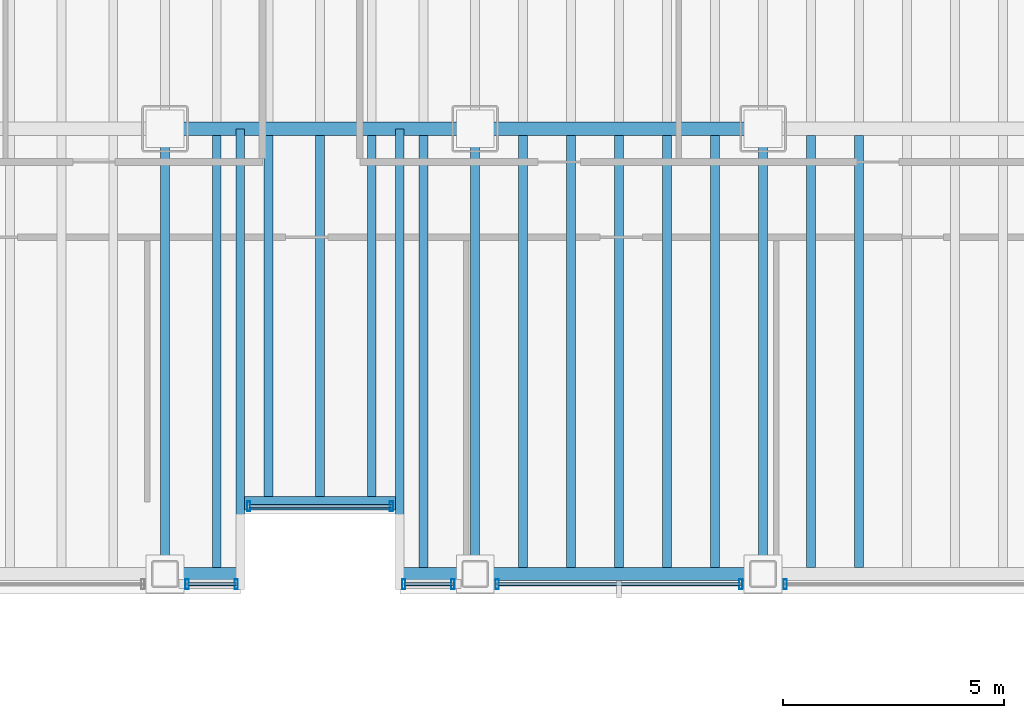
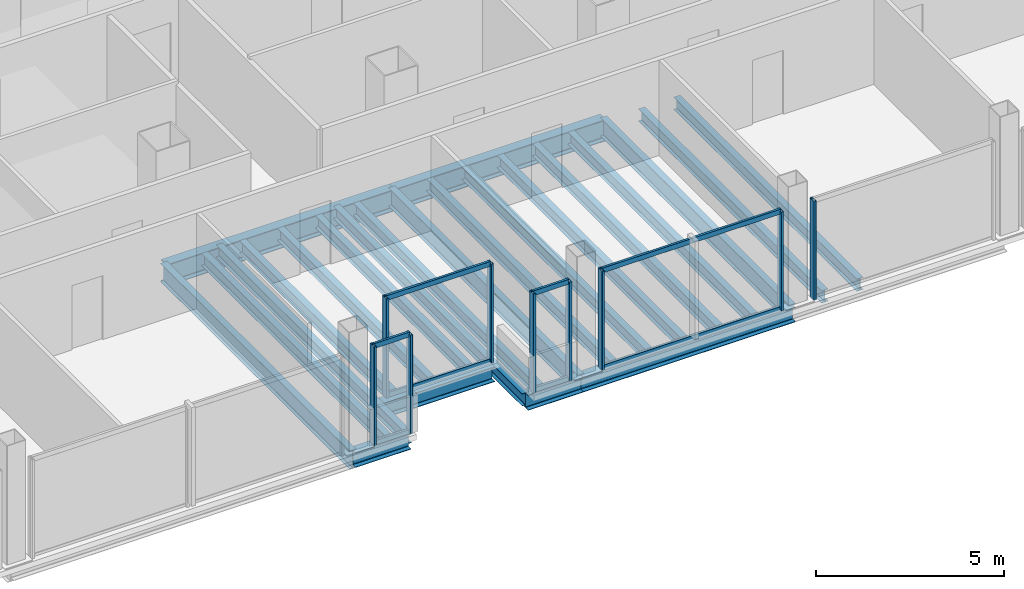
# One storey, part 5 of 22: 23 beams, 17 members, 5 elements without a shape of their own.
"""IFC4 building model written with IfcOpenShell, lengths in metres."""

from ifc_helpers import new_model, si_unit, direction, frame, origin, origin_2d, place, context, subcontext, project, spatial, hollow_rectangle, i_section, extrude, material, material_profile, profile_set, type_object, element, aggregate, save


model = new_model("IFC4")

# Units and contexts
model_context = context("Model", 3, precision=1e-05, world=origin(), true_north=direction((0.0, 1.0)))
body_context = subcontext(model_context, "Body", "Model", "MODEL_VIEW")
ifc_project = project(units=[si_unit("LENGTHUNIT", "METRE"), si_unit("AREAUNIT", "SQUARE_METRE"), si_unit("VOLUMEUNIT", "CUBIC_METRE"), si_unit("PLANEANGLEUNIT", "RADIAN"), si_unit("MASSUNIT", "GRAM", prefix="KILO")], contexts=[model_context])

# Site, building, storey
site_placement = place(None, origin())
site = spatial("IfcSite", under=ifc_project, at=site_placement, CompositionType="ELEMENT")
building_placement = place(site_placement, origin())
building = spatial("IfcBuilding", under=site, at=building_placement, Name="Noeulbin Bourse Tower", CompositionType="ELEMENT")
storey_placement = place(building_placement, frame((0.0, 0.0, 85.0)))
storey = spatial("IfcBuildingStorey", under=building, at=storey_placement, Name="L21", CompositionType="ELEMENT", Elevation=85.0)

# Beams
ifc_material_1 = material(Name="Steel S355", Category="steel")
ifc_material_profile_1 = material_profile(ifc_material_1, i_section(OverallWidth=0.199951171875, OverallDepth=0.60009765625, WebThickness=0.010986328125, FlangeThickness=0.01708984375, FilletRadius=0.02197265625, at=origin_2d()), Name="H-600x200x11x17", Category="LoadBearing")
ifc_profile_set_1 = profile_set([ifc_material_profile_1], Name="Steel S355")
beam_type_1 = type_object("IfcBeamType", Name="BM-GRD-600", PredefinedType="USERDEFINED", material=ifc_profile_set_1)
for number, where, z_axis, x_axis, name in (
    (1, (24.0, 9.949951171875, -0.47998046875), (0.0, 1.0, 0.0), (-1.0, 0.0, 0.0), "Tower Primary Girder NS L21-2.1"),
    (2, (31.0, 9.949951171875, -0.47998046875), (0.0, 1.0, 0.0), (-1.0, 0.0, 0.0), "Tower Primary Girder NS L21-3.1"),
    (3, (37.5, 9.949951171875, -0.47998046875), (0.0, 1.0, 0.0), (-1.0, 0.0, 0.0), "Tower Primary Girder NS L21-4.1"),
):
    element("IfcBeam", number, at=place(storey_placement, frame(where, z_axis=z_axis, x_axis=x_axis)), inside=storey, type_object=beam_type_1, Name=name, ObjectType="GIRDER", PredefinedType="USERDEFINED", context=body_context, shape_type="SweptSolid", body=[
        extrude(i_section(OverallWidth=0.199951171875, OverallDepth=0.60009765625, WebThickness=0.010986328125, FlangeThickness=0.01708984375, FilletRadius=0.02197265625, at=origin_2d()), origin(), (0.0, 0.0, 1.0), 10.050048828125),
    ])
ifc_material_profile_2 = material_profile(ifc_material_1, i_section(OverallWidth=0.300048828125, OverallDepth=0.699951171875, WebThickness=0.012939453125, FlangeThickness=0.02392578125, FilletRadius=0.02392578125, at=origin_2d()), Name="H-700x300x13x24", Category="LoadBearing")
ifc_profile_set_2 = profile_set([ifc_material_profile_2], Name="Steel S355")
beam_type_2 = type_object("IfcBeamType", Name="BM-GRD-700", PredefinedType="USERDEFINED", material=ifc_profile_set_2)
beam_1_placement = place(storey_placement, frame((24.0, 20.0, -0.530029296875), z_axis=(1.0, 0.0, 0.0), x_axis=(0.0, 1.0, 0.0)))
element("IfcBeam", 4, at=beam_1_placement, inside=storey, type_object=beam_type_2, Name="Tower Primary Girder EW L21-1.3", ObjectType="GIRDER", PredefinedType="USERDEFINED", context=body_context, shape_type="SweptSolid", body=[
    extrude(i_section(OverallWidth=0.300048828125, OverallDepth=0.699951171875, WebThickness=0.012939453125, FlangeThickness=0.02392578125, FilletRadius=0.02392578125, at=origin_2d()), origin(), (0.0, 0.0, 1.0), 7.0),
])
beam_2_placement = place(storey_placement, frame((31.0, 20.0, -0.530029296875), z_axis=(1.0, 0.0, 0.0), x_axis=(0.0, 1.0, 0.0)))
element("IfcBeam", 5, at=beam_2_placement, inside=storey, type_object=beam_type_2, Name="Tower Primary Girder EW L21-1.4", ObjectType="GIRDER", PredefinedType="USERDEFINED", context=body_context, shape_type="SweptSolid", body=[
    extrude(i_section(OverallWidth=0.300048828125, OverallDepth=0.699951171875, WebThickness=0.012939453125, FlangeThickness=0.02392578125, FilletRadius=0.02392578125, at=origin_2d()), origin(), (0.0, 0.0, 1.0), 6.5),
])
ifc_material_profile_3 = material_profile(ifc_material_1, i_section(OverallWidth=0.199951171875, OverallDepth=0.39990234375, WebThickness=0.008056640625, FlangeThickness=0.012939453125, FilletRadius=0.01611328125, at=origin_2d()), Name="H-400x200x8x13", Category="LoadBearing")
ifc_profile_set_3 = profile_set([ifc_material_profile_3], Name="Steel S355")
beam_type_3 = type_object("IfcBeamType", Name="BM-SEC-400", PredefinedType="BEAM", material=ifc_profile_set_3)
for number, where, z_axis, x_axis, name in (
    (6, (25.699951171875, 9.949951171875, -0.3798828125), (0.0, 1.0, 0.0), (-1.0, 0.0, 0.0), "BM-L21-SRT-W"),
    (7, (29.300048828125, 9.949951171875, -0.3798828125), (0.0, 1.0, 0.0), (-1.0, 0.0, 0.0), "BM-L21-SRT-E"),
):
    element("IfcBeam", number, at=place(storey_placement, frame(where, z_axis=z_axis, x_axis=x_axis)), inside=storey, type_object=beam_type_3, Name=name, PredefinedType="BEAM", context=body_context, shape_type="SweptSolid", body=[
        extrude(i_section(OverallWidth=0.199951171875, OverallDepth=0.39990234375, WebThickness=0.008056640625, FlangeThickness=0.012939453125, FilletRadius=0.01611328125, at=origin_2d()), origin(), (0.0, 0.0, 1.0), 10.050048828125),
    ])
beam_3_placement = place(storey_placement, frame((25.166748046875, 10.10009765625, -0.3798828125), z_axis=(0.0, 1.0, 0.0), x_axis=(-1.0, 0.0, 0.0)))
element("IfcBeam", 8, at=beam_3_placement, inside=storey, type_object=beam_type_3, Name="Tower Composite Joist L21-25", PredefinedType="BEAM", context=body_context, shape_type="SweptSolid", body=[
    extrude(i_section(OverallWidth=0.199951171875, OverallDepth=0.39990234375, WebThickness=0.008056640625, FlangeThickness=0.012939453125, FilletRadius=0.01611328125, at=origin_2d()), origin(), (0.0, 0.0, 1.0), 9.75),
])
for number, where, z_axis, x_axis, name in (
    (9, (26.333251953125, 11.699951171875, -0.3798828125), (0.0, 1.0, 0.0), (-1.0, 0.0, 0.0), "Tower Composite Joist L21-28"),
    (10, (27.5, 11.699951171875, -0.3798828125), (0.0, 1.0, 0.0), (-1.0, 0.0, 0.0), "Tower Composite Joist L21-31"),
    (11, (28.666748046875, 11.699951171875, -0.3798828125), (0.0, 1.0, 0.0), (-1.0, 0.0, 0.0), "Tower Composite Joist L21-34"),
):
    element("IfcBeam", number, at=place(storey_placement, frame(where, z_axis=z_axis, x_axis=x_axis)), inside=storey, type_object=beam_type_3, Name=name, PredefinedType="BEAM", context=body_context, shape_type="SweptSolid", body=[
        extrude(i_section(OverallWidth=0.199951171875, OverallDepth=0.39990234375, WebThickness=0.008056640625, FlangeThickness=0.012939453125, FilletRadius=0.01611328125, at=origin_2d()), origin(), (0.0, 0.0, 1.0), 8.150146484375),
    ])
for number, where, z_axis, x_axis, name in (
    (12, (29.833251953125, 10.10009765625, -0.3798828125), (0.0, 1.0, 0.0), (-1.0, 0.0, 0.0), "Tower Composite Joist L21-37"),
    (13, (32.083251953125, 10.10009765625, -0.3798828125), (0.0, 1.0, 0.0), (-1.0, 0.0, 0.0), "Tower Composite Joist L21-40"),
    (14, (33.166748046875, 10.10009765625, -0.3798828125), (0.0, 1.0, 0.0), (-1.0, 0.0, 0.0), "Tower Composite Joist L21-43"),
    (15, (34.25, 10.10009765625, -0.3798828125), (0.0, 1.0, 0.0), (-1.0, 0.0, 0.0), "Tower Composite Joist L21-46"),
    (16, (35.333251953125, 10.10009765625, -0.3798828125), (0.0, 1.0, 0.0), (-1.0, 0.0, 0.0), "Tower Composite Joist L21-49"),
    (17, (36.416748046875, 10.10009765625, -0.3798828125), (0.0, 1.0, 0.0), (-1.0, 0.0, 0.0), "Tower Composite Joist L21-52"),
    (18, (38.583251953125, 10.10009765625, -0.3798828125), (0.0, 1.0, 0.0), (-1.0, 0.0, 0.0), "Tower Composite Joist L21-55"),
    (19, (39.666748046875, 10.10009765625, -0.3798828125), (0.0, 1.0, 0.0), (-1.0, 0.0, 0.0), "Tower Composite Joist L21-58"),
):
    element("IfcBeam", number, at=place(storey_placement, frame(where, z_axis=z_axis, x_axis=x_axis)), inside=storey, type_object=beam_type_3, Name=name, PredefinedType="BEAM", context=body_context, shape_type="SweptSolid", body=[
        extrude(i_section(OverallWidth=0.199951171875, OverallDepth=0.39990234375, WebThickness=0.008056640625, FlangeThickness=0.012939453125, FilletRadius=0.01611328125, at=origin_2d()), origin(), (0.0, 0.0, 1.0), 9.75),
    ])
ifc_material_profile_4 = material_profile(ifc_material_1, i_section(OverallWidth=0.300048828125, OverallDepth=0.488037109375, WebThickness=0.010986328125, FlangeThickness=0.01806640625, FilletRadius=0.02197265625, at=origin_2d()), Name="H-488x300x11x18", Category="LoadBearing")
ifc_profile_set_4 = profile_set([ifc_material_profile_4], Name="Steel S355")
beam_type_4 = type_object("IfcBeamType", Name="BM-SPN-488", PredefinedType="SPANDREL", material=ifc_profile_set_4)
beam_4_placement = place(storey_placement, frame((25.800048828125, 11.550048828125, -0.424072265625), z_axis=(1.0, 0.0, 0.0), x_axis=(0.0, 1.0, 0.0)))
element("IfcBeam", 20, at=beam_4_placement, inside=storey, type_object=beam_type_4, Name="South Recess Spandrel L21-2B", PredefinedType="SPANDREL", context=body_context, shape_type="SweptSolid", body=[
    extrude(i_section(OverallWidth=0.300048828125, OverallDepth=0.488037109375, WebThickness=0.010986328125, FlangeThickness=0.01806640625, FilletRadius=0.02197265625, at=origin_2d()), origin(), (0.0, 0.0, 1.0), 3.39990234375),
])
for number, where, z_axis, x_axis, name in (
    (21, (24.0, 9.949951171875, -0.424072265625), (1.0, 0.0, 0.0), (0.0, 1.0, 0.0), "South Spandrel L21-2A"),
    (22, (29.300048828125, 9.949951171875, -0.424072265625), (1.0, 0.0, 0.0), (0.0, 1.0, 0.0), "South Spandrel L21-2C"),
):
    element("IfcBeam", number, at=place(storey_placement, frame(where, z_axis=z_axis, x_axis=x_axis)), inside=storey, type_object=beam_type_4, Name=name, PredefinedType="SPANDREL", context=body_context, shape_type="SweptSolid", body=[
        extrude(i_section(OverallWidth=0.300048828125, OverallDepth=0.488037109375, WebThickness=0.010986328125, FlangeThickness=0.01806640625, FilletRadius=0.02197265625, at=origin_2d()), origin(), (0.0, 0.0, 1.0), 1.699951171875),
    ])
beam_5_placement = place(storey_placement, frame((31.0, 9.949951171875, -0.424072265625), z_axis=(1.0, 0.0, 0.0), x_axis=(0.0, 1.0, 0.0)))
element("IfcBeam", 23, at=beam_5_placement, inside=storey, type_object=beam_type_4, Name="South Spandrel L21-3", PredefinedType="SPANDREL", context=body_context, shape_type="SweptSolid", body=[
    extrude(i_section(OverallWidth=0.300048828125, OverallDepth=0.488037109375, WebThickness=0.010986328125, FlangeThickness=0.01806640625, FilletRadius=0.02197265625, at=origin_2d()), origin(), (0.0, 0.0, 1.0), 6.5),
])

# Curtain wall, members
ifc_material_2 = material(Name="Dark Solar-Control Double Glazing", Category="glass")
curtain_wall_type = type_object("IfcCurtainWallType", Name="CW-SYS-2", PredefinedType="NOTDEFINED", material=ifc_material_2)
curtain_wall_1_placement = place(storey_placement, origin())
curtain_wall_1 = element("IfcCurtainWall", 24, at=curtain_wall_1_placement, inside=storey, type_object=curtain_wall_type, Name="Unitised Curtain Wall CW-L21-SREC", PredefinedType="NOTDEFINED")
ifc_material_3 = material(Name="Anodised Aluminium 6063-T6", Category="aluminium")
ifc_material_profile_5 = material_profile(ifc_material_3, hollow_rectangle(XDim=0.074951171875, YDim=0.219970703125, WallThickness=0.0048828125, InnerFilletRadius=0.00244140625, OuterFilletRadius=0.0048828125, at=origin_2d()), Name="ALU-MULL-75x220x5", Category="LoadBearing")
ifc_profile_set_5 = profile_set([ifc_material_profile_5], Name="Anodised Aluminium 6063-T6")
member_type_1 = type_object("IfcMemberType", Name="CW-SYS-2-MUL", PredefinedType="MULLION", material=ifc_profile_set_5)
member_1_placement = place(storey_placement, frame((25.889892578125, 11.47998046875, -0.02001953125), z_axis=(0.0, 0.0, 1.0), x_axis=(1.0, 0.0, 0.0)))
member_1 = element("IfcMember", 25, at=member_1_placement, type_object=member_type_1, Name="Curtain Wall Mullion CW-L21-SREC-M00", PredefinedType="MULLION", context=body_context, shape_type="SweptSolid", body=[
    extrude(hollow_rectangle(XDim=0.074951171875, YDim=0.219970703125, WallThickness=0.0048828125, InnerFilletRadius=0.00244140625, OuterFilletRadius=0.0048828125, at=origin_2d()), origin(), (0.0, 0.0, 1.0), 3.219970703125),
])
member_2_placement = place(storey_placement, frame((29.110107421875, 11.47998046875, -0.02001953125), z_axis=(0.0, 0.0, 1.0), x_axis=(1.0, 0.0, 0.0)))
member_2 = element("IfcMember", 26, at=member_2_placement, type_object=member_type_1, Name="Curtain Wall Mullion CW-L21-SREC-M01", PredefinedType="MULLION", context=body_context, shape_type="SweptSolid", body=[
    extrude(hollow_rectangle(XDim=0.074951171875, YDim=0.219970703125, WallThickness=0.0048828125, InnerFilletRadius=0.00244140625, OuterFilletRadius=0.0048828125, at=origin_2d()), origin(), (0.0, 0.0, 1.0), 3.219970703125),
])

curtain_wall_2_placement = place(storey_placement, origin())
curtain_wall_2 = element("IfcCurtainWall", 27, at=curtain_wall_2_placement, inside=storey, type_object=curtain_wall_type, Name="Unitised Curtain Wall CW-L21-S1-S3", PredefinedType="NOTDEFINED")
member_3_placement = place(storey_placement, frame((24.5, 9.719970703125, -0.02001953125), z_axis=(0.0, 0.0, 1.0), x_axis=(1.0, 0.0, 0.0)))
member_3 = element("IfcMember", 28, at=member_3_placement, type_object=member_type_1, Name="Curtain Wall Mullion CW-L21-S1-S3-M00", PredefinedType="MULLION", context=body_context, shape_type="SweptSolid", body=[
    extrude(hollow_rectangle(XDim=0.074951171875, YDim=0.219970703125, WallThickness=0.0048828125, InnerFilletRadius=0.00244140625, OuterFilletRadius=0.0048828125, at=origin_2d()), origin(), (0.0, 0.0, 1.0), 3.219970703125),
])
member_4_placement = place(storey_placement, frame((25.610107421875, 9.719970703125, -0.02001953125), z_axis=(0.0, 0.0, 1.0), x_axis=(1.0, 0.0, 0.0)))
member_4 = element("IfcMember", 29, at=member_4_placement, type_object=member_type_1, Name="Curtain Wall Mullion CW-L21-S1-S3-M01", PredefinedType="MULLION", context=body_context, shape_type="SweptSolid", body=[
    extrude(hollow_rectangle(XDim=0.074951171875, YDim=0.219970703125, WallThickness=0.0048828125, InnerFilletRadius=0.00244140625, OuterFilletRadius=0.0048828125, at=origin_2d()), origin(), (0.0, 0.0, 1.0), 3.219970703125),
])

curtain_wall_3_placement = place(storey_placement, origin())
curtain_wall_3 = element("IfcCurtainWall", 30, at=curtain_wall_3_placement, inside=storey, type_object=curtain_wall_type, Name="Unitised Curtain Wall CW-L21-S2-S1", PredefinedType="NOTDEFINED")
member_5_placement = place(storey_placement, frame((29.389892578125, 9.719970703125, -0.02001953125), z_axis=(0.0, 0.0, 1.0), x_axis=(1.0, 0.0, 0.0)))
member_5 = element("IfcMember", 31, at=member_5_placement, type_object=member_type_1, Name="Curtain Wall Mullion CW-L21-S2-S1-M00", PredefinedType="MULLION", context=body_context, shape_type="SweptSolid", body=[
    extrude(hollow_rectangle(XDim=0.074951171875, YDim=0.219970703125, WallThickness=0.0048828125, InnerFilletRadius=0.00244140625, OuterFilletRadius=0.0048828125, at=origin_2d()), origin(), (0.0, 0.0, 1.0), 3.219970703125),
])
member_6_placement = place(storey_placement, frame((30.5, 9.719970703125, -0.02001953125), z_axis=(0.0, 0.0, 1.0), x_axis=(1.0, 0.0, 0.0)))
member_6 = element("IfcMember", 32, at=member_6_placement, type_object=member_type_1, Name="Curtain Wall Mullion CW-L21-S2-S1-M01", PredefinedType="MULLION", context=body_context, shape_type="SweptSolid", body=[
    extrude(hollow_rectangle(XDim=0.074951171875, YDim=0.219970703125, WallThickness=0.0048828125, InnerFilletRadius=0.00244140625, OuterFilletRadius=0.0048828125, at=origin_2d()), origin(), (0.0, 0.0, 1.0), 3.219970703125),
])

curtain_wall_4_placement = place(storey_placement, origin())
curtain_wall_4 = element("IfcCurtainWall", 33, at=curtain_wall_4_placement, inside=storey, type_object=curtain_wall_type, Name="Unitised Curtain Wall CW-L21-S2-S2", PredefinedType="NOTDEFINED")
member_7_placement = place(storey_placement, frame((31.5, 9.719970703125, -0.02001953125), z_axis=(0.0, 0.0, 1.0), x_axis=(1.0, 0.0, 0.0)))
member_7 = element("IfcMember", 34, at=member_7_placement, type_object=member_type_1, Name="Curtain Wall Mullion CW-L21-S2-S2-M00", PredefinedType="MULLION", context=body_context, shape_type="SweptSolid", body=[
    extrude(hollow_rectangle(XDim=0.074951171875, YDim=0.219970703125, WallThickness=0.0048828125, InnerFilletRadius=0.00244140625, OuterFilletRadius=0.0048828125, at=origin_2d()), origin(), (0.0, 0.0, 1.0), 3.219970703125),
])
member_8_placement = place(storey_placement, frame((37.0, 9.719970703125, -0.02001953125), z_axis=(0.0, 0.0, 1.0), x_axis=(1.0, 0.0, 0.0)))
member_8 = element("IfcMember", 35, at=member_8_placement, type_object=member_type_1, Name="Curtain Wall Mullion CW-L21-S2-S2-M01", PredefinedType="MULLION", context=body_context, shape_type="SweptSolid", body=[
    extrude(hollow_rectangle(XDim=0.074951171875, YDim=0.219970703125, WallThickness=0.0048828125, InnerFilletRadius=0.00244140625, OuterFilletRadius=0.0048828125, at=origin_2d()), origin(), (0.0, 0.0, 1.0), 3.219970703125),
])

# Curtain wall, member
curtain_wall_5_placement = place(storey_placement, origin())
curtain_wall_5 = element("IfcCurtainWall", 36, at=curtain_wall_5_placement, inside=storey, type_object=curtain_wall_type, Name="Unitised Curtain Wall CW-L21-S2-S3", PredefinedType="NOTDEFINED")
member_9_placement = place(storey_placement, frame((38.0, 9.719970703125, -0.02001953125), z_axis=(0.0, 0.0, 1.0), x_axis=(1.0, 0.0, 0.0)))
member_9 = element("IfcMember", 37, at=member_9_placement, type_object=member_type_1, Name="Curtain Wall Mullion CW-L21-S2-S3-M00", PredefinedType="MULLION", context=body_context, shape_type="SweptSolid", body=[
    extrude(hollow_rectangle(XDim=0.074951171875, YDim=0.219970703125, WallThickness=0.0048828125, InnerFilletRadius=0.00244140625, OuterFilletRadius=0.0048828125, at=origin_2d()), origin(), (0.0, 0.0, 1.0), 3.219970703125),
])
aggregate(curtain_wall_5, [member_9])

# Member
ifc_material_profile_6 = material_profile(ifc_material_3, hollow_rectangle(XDim=0.074951171875, YDim=0.159912109375, WallThickness=0.0048828125, InnerFilletRadius=0.00244140625, OuterFilletRadius=0.0048828125, at=origin_2d()), Name="ALU-TRAN-75x160x5", Category="LoadBearing")
ifc_profile_set_6 = profile_set([ifc_material_profile_6], Name="Anodised Aluminium 6063-T6")
member_type_2 = type_object("IfcMemberType", Name="CW-SYS-2-TRN", PredefinedType="USERDEFINED", material=ifc_profile_set_6)
member_10_placement = place(storey_placement, frame((25.89990234375, 11.47998046875, 0.010009765625), z_axis=(1.0, 0.0, 0.0), x_axis=(0.0, 1.0, 0.0)))
member_10 = element("IfcMember", 38, at=member_10_placement, type_object=member_type_2, Name="Curtain Wall Transom CW-L21-SREC-T00", ObjectType="TRANSOM", PredefinedType="USERDEFINED", context=body_context, shape_type="SweptSolid", body=[
    extrude(hollow_rectangle(XDim=0.074951171875, YDim=0.159912109375, WallThickness=0.0048828125, InnerFilletRadius=0.00244140625, OuterFilletRadius=0.0048828125, at=origin_2d()), origin(), (0.0, 0.0, 1.0), 3.2001953125),
])

member_11_placement = place(storey_placement, frame((25.89990234375, 11.47998046875, 3.169921875), z_axis=(1.0, 0.0, 0.0), x_axis=(0.0, 1.0, 0.0)))
member_11 = element("IfcMember", 39, at=member_11_placement, type_object=member_type_2, Name="Curtain Wall Transom CW-L21-SREC-T01", ObjectType="TRANSOM", PredefinedType="USERDEFINED", context=body_context, shape_type="SweptSolid", body=[
    extrude(hollow_rectangle(XDim=0.074951171875, YDim=0.159912109375, WallThickness=0.0048828125, InnerFilletRadius=0.00244140625, OuterFilletRadius=0.0048828125, at=origin_2d()), origin(), (0.0, 0.0, 1.0), 3.2001953125),
])

aggregate(curtain_wall_1, [member_1, member_2, member_10, member_11])

member_12_placement = place(storey_placement, frame((24.510009765625, 9.719970703125, 0.010009765625), z_axis=(1.0, 0.0, 0.0), x_axis=(0.0, 1.0, 0.0)))
member_12 = element("IfcMember", 40, at=member_12_placement, type_object=member_type_2, Name="Curtain Wall Transom CW-L21-S1-S3-T00", ObjectType="TRANSOM", PredefinedType="USERDEFINED", context=body_context, shape_type="SweptSolid", body=[
    extrude(hollow_rectangle(XDim=0.074951171875, YDim=0.159912109375, WallThickness=0.0048828125, InnerFilletRadius=0.00244140625, OuterFilletRadius=0.0048828125, at=origin_2d()), origin(), (0.0, 0.0, 1.0), 1.090087890625),
])

member_13_placement = place(storey_placement, frame((24.510009765625, 9.719970703125, 3.169921875), z_axis=(1.0, 0.0, 0.0), x_axis=(0.0, 1.0, 0.0)))
member_13 = element("IfcMember", 41, at=member_13_placement, type_object=member_type_2, Name="Curtain Wall Transom CW-L21-S1-S3-T01", ObjectType="TRANSOM", PredefinedType="USERDEFINED", context=body_context, shape_type="SweptSolid", body=[
    extrude(hollow_rectangle(XDim=0.074951171875, YDim=0.159912109375, WallThickness=0.0048828125, InnerFilletRadius=0.00244140625, OuterFilletRadius=0.0048828125, at=origin_2d()), origin(), (0.0, 0.0, 1.0), 1.090087890625),
])

aggregate(curtain_wall_2, [member_3, member_4, member_12, member_13])

member_14_placement = place(storey_placement, frame((29.39990234375, 9.719970703125, 0.010009765625), z_axis=(1.0, 0.0, 0.0), x_axis=(0.0, 1.0, 0.0)))
member_14 = element("IfcMember", 42, at=member_14_placement, type_object=member_type_2, Name="Curtain Wall Transom CW-L21-S2-S1-T00", ObjectType="TRANSOM", PredefinedType="USERDEFINED", context=body_context, shape_type="SweptSolid", body=[
    extrude(hollow_rectangle(XDim=0.074951171875, YDim=0.159912109375, WallThickness=0.0048828125, InnerFilletRadius=0.00244140625, OuterFilletRadius=0.0048828125, at=origin_2d()), origin(), (0.0, 0.0, 1.0), 1.090087890625),
])

member_15_placement = place(storey_placement, frame((29.39990234375, 9.719970703125, 3.169921875), z_axis=(1.0, 0.0, 0.0), x_axis=(0.0, 1.0, 0.0)))
member_15 = element("IfcMember", 43, at=member_15_placement, type_object=member_type_2, Name="Curtain Wall Transom CW-L21-S2-S1-T01", ObjectType="TRANSOM", PredefinedType="USERDEFINED", context=body_context, shape_type="SweptSolid", body=[
    extrude(hollow_rectangle(XDim=0.074951171875, YDim=0.159912109375, WallThickness=0.0048828125, InnerFilletRadius=0.00244140625, OuterFilletRadius=0.0048828125, at=origin_2d()), origin(), (0.0, 0.0, 1.0), 1.090087890625),
])

aggregate(curtain_wall_3, [member_5, member_6, member_14, member_15])

member_16_placement = place(storey_placement, frame((31.510009765625, 9.719970703125, 0.010009765625), z_axis=(1.0, 0.0, 0.0), x_axis=(0.0, 1.0, 0.0)))
member_16 = element("IfcMember", 44, at=member_16_placement, type_object=member_type_2, Name="Curtain Wall Transom CW-L21-S2-S2-T00", ObjectType="TRANSOM", PredefinedType="USERDEFINED", context=body_context, shape_type="SweptSolid", body=[
    extrude(hollow_rectangle(XDim=0.074951171875, YDim=0.159912109375, WallThickness=0.0048828125, InnerFilletRadius=0.00244140625, OuterFilletRadius=0.0048828125, at=origin_2d()), origin(), (0.0, 0.0, 1.0), 5.47998046875),
])

member_17_placement = place(storey_placement, frame((31.510009765625, 9.719970703125, 3.169921875), z_axis=(1.0, 0.0, 0.0), x_axis=(0.0, 1.0, 0.0)))
member_17 = element("IfcMember", 45, at=member_17_placement, type_object=member_type_2, Name="Curtain Wall Transom CW-L21-S2-S2-T01", ObjectType="TRANSOM", PredefinedType="USERDEFINED", context=body_context, shape_type="SweptSolid", body=[
    extrude(hollow_rectangle(XDim=0.074951171875, YDim=0.159912109375, WallThickness=0.0048828125, InnerFilletRadius=0.00244140625, OuterFilletRadius=0.0048828125, at=origin_2d()), origin(), (0.0, 0.0, 1.0), 5.47998046875),
])

aggregate(curtain_wall_4, [member_7, member_8, member_16, member_17])

save(model, "model.ifc")
